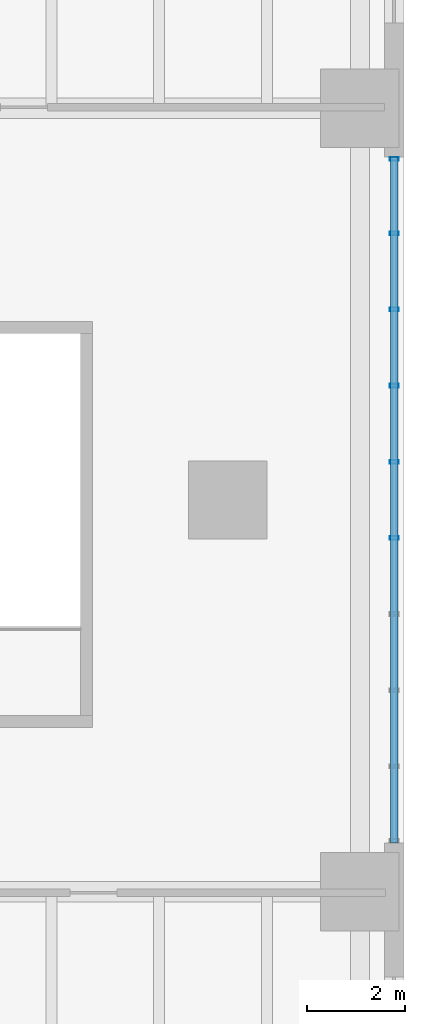
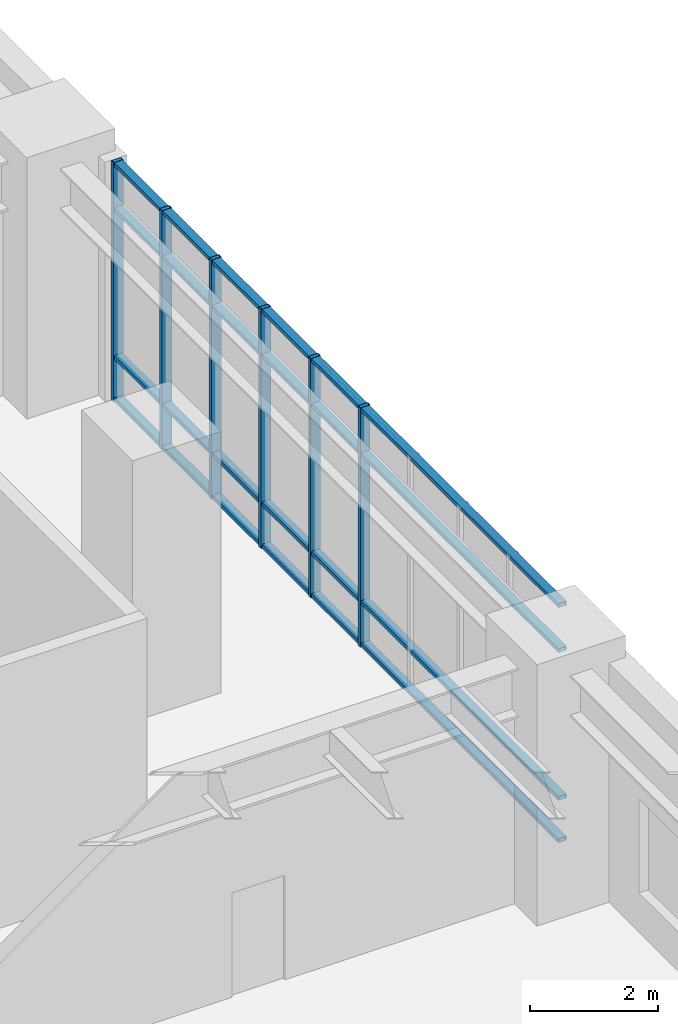
# One storey, part 10 of 18: 10 members, 1 element without a shape of its own.
"""IFC4 building model written with IfcOpenShell, lengths in metres."""

from ifc_helpers import new_model, si_unit, direction, frame, origin, origin_2d, place, context, subcontext, project, spatial, hollow_rectangle, extrude, material, layer, layer_set, material_profile, profile_set, type_object, element, aggregate, save


model = new_model("IFC4")

# Units and contexts
model_context = context("Model", 3, precision=1e-05, world=origin(), true_north=direction((0.0, 1.0)))
body_context = subcontext(model_context, "Body", "Model", "MODEL_VIEW")
ifc_project = project(units=[si_unit("LENGTHUNIT", "METRE"), si_unit("AREAUNIT", "SQUARE_METRE"), si_unit("VOLUMEUNIT", "CUBIC_METRE"), si_unit("PLANEANGLEUNIT", "RADIAN"), si_unit("MASSUNIT", "GRAM", prefix="KILO"), si_unit("THERMODYNAMICTEMPERATUREUNIT", "KELVIN"), si_unit("POWERUNIT", "WATT")], contexts=[model_context])

# Site, building, storey
site_placement = place(None, origin())
site = spatial("IfcSite", under=ifc_project, at=site_placement, CompositionType="ELEMENT")
building_placement = place(site_placement, origin())
building = spatial("IfcBuilding", under=site, at=building_placement, Name="Skarre Station Tower", CompositionType="ELEMENT")
storey_placement = place(building_placement, frame((0.0, 0.0, 16.0)))
storey = spatial("IfcBuildingStorey", under=building, at=storey_placement, Name="L04", CompositionType="ELEMENT", Elevation=16.0)

# Curtain wall, members
ifc_material_1 = material(Name="Thermally Broken Bronze-Anodized Aluminium & Triple Low-E Glass", Category="aluminium")
ifc_layer = layer(ifc_material_1, 0.199951171875, Name="Thermally Broken Bronze-Anodized Aluminium & Triple Low-E Glass")
ifc_layer_set = layer_set([ifc_layer], Name="Thermally Broken Bronze-Anodized Aluminium & Triple Low-E Glass")
curtain_wall_type = type_object("IfcCurtainWallType", Name="Podium Transit Arcade Stick Curtain Wall", PredefinedType="NOTDEFINED", material=ifc_layer_set)
curtain_wall_placement = place(storey_placement, origin())
curtain_wall = element("IfcCurtainWall", 1, at=curtain_wall_placement, inside=storey, type_object=curtain_wall_type, Name="L04 East Forum Clerestory Curtain Wall", PredefinedType="NOTDEFINED")
ifc_material_2 = material(Name="Anodized Aluminium 6063-T6", Category="aluminium")
ifc_material_profile_1 = material_profile(ifc_material_2, hollow_rectangle(XDim=0.074951171875, YDim=0.14990234375, WallThickness=0.00390625, at=origin_2d()), Name="Anodized Aluminium 6063-T6")
ifc_profile_set_1 = profile_set([ifc_material_profile_1], Name="Anodized Aluminium 6063-T6")
member_type_1 = type_object("IfcMemberType", Name="Curtain-Wall Secondary Transom 150x75", PredefinedType="USERDEFINED", material=ifc_profile_set_1)
member_1_placement = place(storey_placement, frame((71.800048828125, 31.0, 0.0400390625), z_axis=(0.0, -1.0, 0.0), x_axis=(0.0, 0.0, 1.0)))
member_1 = element("IfcMember", 2, at=member_1_placement, type_object=member_type_1, Name="L04 East Forum Clerestory Curtain Wall Transom 1", ObjectType="TRANSOM", PredefinedType="USERDEFINED", context=body_context, shape_type="SweptSolid", body=[
    extrude(hollow_rectangle(XDim=0.074951171875, YDim=0.14990234375, WallThickness=0.00390625, at=origin_2d()), origin(), (0.0, 0.0, 1.0), 14.0),
])
member_2_placement = place(storey_placement, frame((71.800048828125, 31.0, 0.85009765625), z_axis=(0.0, -1.0, 0.0), x_axis=(0.0, 0.0, 1.0)))
member_2 = element("IfcMember", 3, at=member_2_placement, type_object=member_type_1, Name="L04 East Forum Clerestory Curtain Wall Transom 2", ObjectType="TRANSOM", PredefinedType="USERDEFINED", context=body_context, shape_type="SweptSolid", body=[
    extrude(hollow_rectangle(XDim=0.074951171875, YDim=0.14990234375, WallThickness=0.00390625, at=origin_2d()), origin(), (0.0, 0.0, 1.0), 14.0),
])
member_3_placement = place(storey_placement, frame((71.800048828125, 31.0, 3.679931640625), z_axis=(0.0, -1.0, 0.0), x_axis=(0.0, 0.0, 1.0)))
member_3 = element("IfcMember", 4, at=member_3_placement, type_object=member_type_1, Name="L04 East Forum Clerestory Curtain Wall Transom 3", ObjectType="TRANSOM", PredefinedType="USERDEFINED", context=body_context, shape_type="SweptSolid", body=[
    extrude(hollow_rectangle(XDim=0.074951171875, YDim=0.14990234375, WallThickness=0.00390625, at=origin_2d()), origin(), (0.0, 0.0, 1.0), 14.0),
])
member_4_placement = place(storey_placement, frame((71.800048828125, 31.0, 4.5400390625), z_axis=(0.0, -1.0, 0.0), x_axis=(0.0, 0.0, 1.0)))
member_4 = element("IfcMember", 5, at=member_4_placement, type_object=member_type_1, Name="L04 East Forum Clerestory Curtain Wall Transom 4", ObjectType="TRANSOM", PredefinedType="USERDEFINED", context=body_context, shape_type="SweptSolid", body=[
    extrude(hollow_rectangle(XDim=0.074951171875, YDim=0.14990234375, WallThickness=0.00390625, at=origin_2d()), origin(), (0.0, 0.0, 1.0), 14.0),
])
ifc_material_profile_2 = material_profile(ifc_material_2, hollow_rectangle(XDim=0.074951171875, YDim=0.179931640625, WallThickness=0.00390625, at=origin_2d()), Name="Anodized Aluminium 6063-T6")
ifc_profile_set_2 = profile_set([ifc_material_profile_2], Name="Anodized Aluminium 6063-T6")
member_type_2 = type_object("IfcMemberType", Name="Curtain-Wall Unitised Tower Mullion 180x75", PredefinedType="MULLION", material=ifc_profile_set_2)
member_5_placement = place(storey_placement, frame((71.800048828125, 30.9599609375, 0.0), z_axis=(0.0, 0.0, 1.0), x_axis=(0.0, -1.0, 0.0)))
member_5 = element("IfcMember", 6, at=member_5_placement, type_object=member_type_2, Name="L04 East Forum Clerestory Curtain Wall Mullion 1", PredefinedType="MULLION", context=body_context, shape_type="SweptSolid", body=[
    extrude(hollow_rectangle(XDim=0.074951171875, YDim=0.179931640625, WallThickness=0.00390625, at=origin_2d()), origin(), (0.0, 0.0, 1.0), 4.580078125),
])
member_6_placement = place(storey_placement, frame((71.800048828125, 29.444091796875, 0.0), z_axis=(0.0, 0.0, 1.0), x_axis=(0.0, -1.0, 0.0)))
member_6 = element("IfcMember", 7, at=member_6_placement, type_object=member_type_2, Name="L04 East Forum Clerestory Curtain Wall Mullion 2", PredefinedType="MULLION", context=body_context, shape_type="SweptSolid", body=[
    extrude(hollow_rectangle(XDim=0.074951171875, YDim=0.179931640625, WallThickness=0.00390625, at=origin_2d()), origin(), (0.0, 0.0, 1.0), 4.580078125),
])
member_7_placement = place(storey_placement, frame((71.800048828125, 27.888916015625, 0.0), z_axis=(0.0, 0.0, 1.0), x_axis=(0.0, -1.0, 0.0)))
member_7 = element("IfcMember", 8, at=member_7_placement, type_object=member_type_2, Name="L04 East Forum Clerestory Curtain Wall Mullion 3", PredefinedType="MULLION", context=body_context, shape_type="SweptSolid", body=[
    extrude(hollow_rectangle(XDim=0.074951171875, YDim=0.179931640625, WallThickness=0.00390625, at=origin_2d()), origin(), (0.0, 0.0, 1.0), 4.580078125),
])
member_8_placement = place(storey_placement, frame((71.800048828125, 26.3330078125, 0.0), z_axis=(0.0, 0.0, 1.0), x_axis=(0.0, -1.0, 0.0)))
member_8 = element("IfcMember", 9, at=member_8_placement, type_object=member_type_2, Name="L04 East Forum Clerestory Curtain Wall Mullion 4", PredefinedType="MULLION", context=body_context, shape_type="SweptSolid", body=[
    extrude(hollow_rectangle(XDim=0.074951171875, YDim=0.179931640625, WallThickness=0.00390625, at=origin_2d()), origin(), (0.0, 0.0, 1.0), 4.580078125),
])
member_9_placement = place(storey_placement, frame((71.800048828125, 24.778076171875, 0.0), z_axis=(0.0, 0.0, 1.0), x_axis=(0.0, -1.0, 0.0)))
member_9 = element("IfcMember", 10, at=member_9_placement, type_object=member_type_2, Name="L04 East Forum Clerestory Curtain Wall Mullion 5", PredefinedType="MULLION", context=body_context, shape_type="SweptSolid", body=[
    extrude(hollow_rectangle(XDim=0.074951171875, YDim=0.179931640625, WallThickness=0.00390625, at=origin_2d()), origin(), (0.0, 0.0, 1.0), 4.580078125),
])
member_10_placement = place(storey_placement, frame((71.800048828125, 23.221923828125, 0.0), z_axis=(0.0, 0.0, 1.0), x_axis=(0.0, -1.0, 0.0)))
member_10 = element("IfcMember", 11, at=member_10_placement, type_object=member_type_2, Name="L04 East Forum Clerestory Curtain Wall Mullion 6", PredefinedType="MULLION", context=body_context, shape_type="SweptSolid", body=[
    extrude(hollow_rectangle(XDim=0.074951171875, YDim=0.179931640625, WallThickness=0.00390625, at=origin_2d()), origin(), (0.0, 0.0, 1.0), 4.580078125),
])
aggregate(curtain_wall, [member_5, member_6, member_7, member_8, member_9, member_10, member_1, member_2, member_3, member_4])

save(model, "model.ifc")
